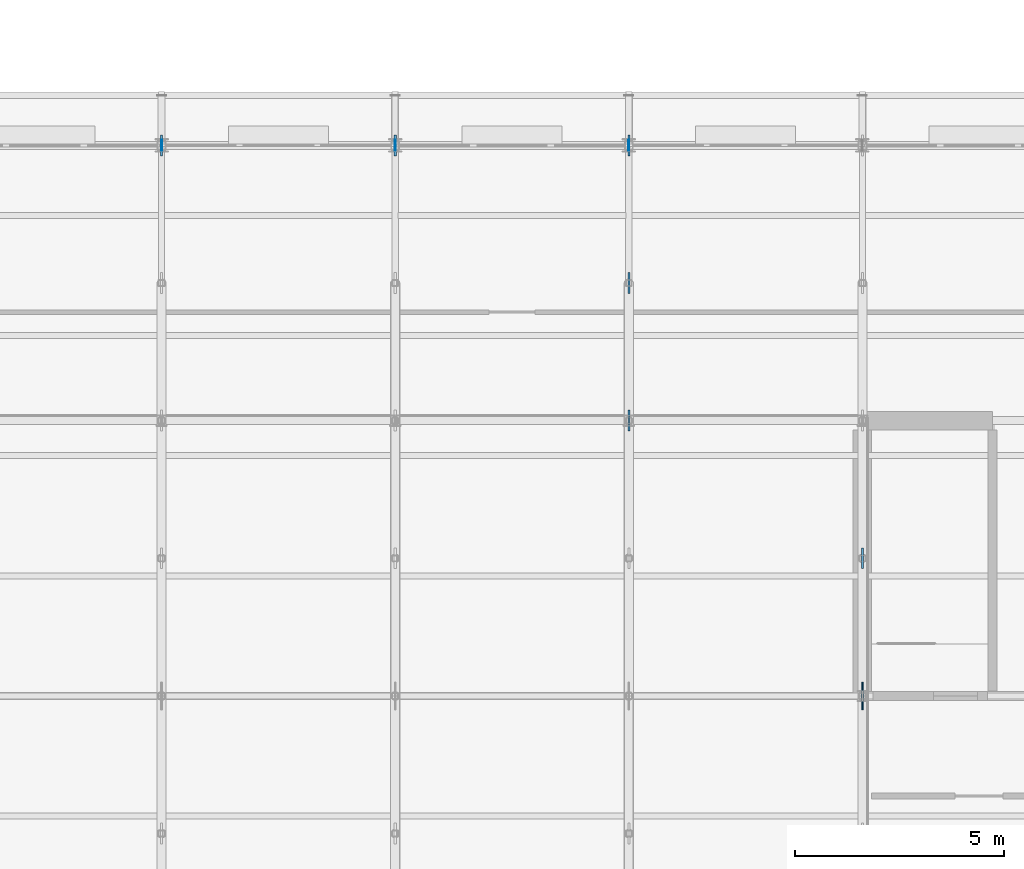
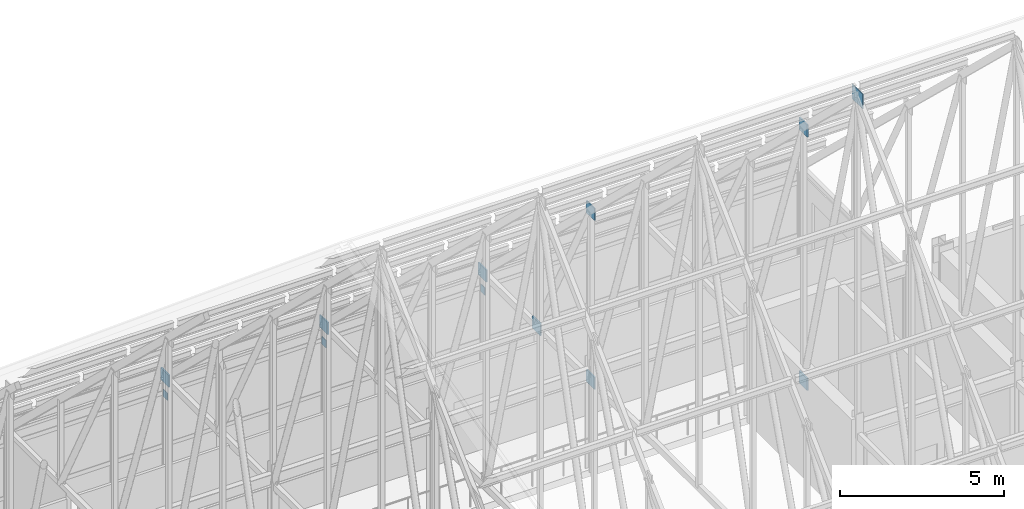
# One storey, part 111 of 144: 12 plates.
"""IFC4 building model written with IfcOpenShell, lengths in metres."""

from ifc_helpers import new_model, si_unit, direction, frame, origin, origin_2d, place, context, subcontext, project, spatial, rectangle, extrude, material, layer, layer_set, type_object, element, save


model = new_model("IFC4")

# Units and contexts
model_context = context("Model", 3, precision=1e-05, world=origin(), true_north=direction((0.0, 1.0)))
body_context = subcontext(model_context, "Body", "Model", "MODEL_VIEW")
ifc_project = project(units=[si_unit("LENGTHUNIT", "METRE"), si_unit("AREAUNIT", "SQUARE_METRE"), si_unit("VOLUMEUNIT", "CUBIC_METRE"), si_unit("PLANEANGLEUNIT", "RADIAN"), si_unit("MASSUNIT", "GRAM", prefix="KILO")], contexts=[model_context])

# Site, building, storey
site_placement = place(None, origin())
site = spatial("IfcSite", under=ifc_project, at=site_placement, CompositionType="ELEMENT")
building_placement = place(site_placement, origin())
building = spatial("IfcBuilding", under=site, at=building_placement, Name="Trelmorton Wharf Fire Station", CompositionType="ELEMENT")
storey_placement = place(building_placement, frame((0.0, 0.0, 5.39990234375)))
storey = spatial("IfcBuildingStorey", under=building, at=storey_placement, Name="L01", CompositionType="ELEMENT", Elevation=5.39990234375)

# Plates
ifc_material = material(Name="Steel Grade 350", Category="steel")
ifc_layer_1 = layer(ifc_material, 0.02001953125)
ifc_layer_set_1 = layer_set([ifc_layer_1], Name="Steel Grade 350")
plate_type_1 = type_object("IfcPlateType", Name="PL_ENDCAP_20", PredefinedType="SHEET", material=ifc_layer_set_1)
for number, where, z_axis, x_axis, name in (
    (1, (34.39990234375, 34.199951171875, 2.56005859375), (0.0, 0.0, 1.0), (1.0, 0.0, 0.0), "PL-EC-0028"),
    (2, (40.0, 34.199951171875, 2.56005859375), (0.0, 0.0, 1.0), (1.0, 0.0, 0.0), "PL-EC-0032"),
    (3, (45.60009765625, 34.199951171875, 2.56005859375), (0.0, 0.0, 1.0), (1.0, 0.0, 0.0), "PL-EC-0036"),
):
    element("IfcPlate", number, at=place(storey_placement, frame(where, z_axis=z_axis, x_axis=x_axis)), inside=storey, type_object=plate_type_1, Name=name, PredefinedType="SHEET", context=body_context, shape_type="SweptSolid", body=[
        extrude(rectangle(XDim=0.02001953125, YDim=0.260009765625, at=origin_2d()), origin(), (0.0, 0.0, 1.0), 0.280029296875),
    ])
ifc_layer_2 = layer(ifc_material, 0.030029296875)
ifc_layer_set_2 = layer_set([ifc_layer_2], Name="Steel Grade 350")
plate_type_2 = type_object("IfcPlateType", Name="PL_GUSSET_TN1", PredefinedType="USERDEFINED", material=ifc_layer_set_2)
plate_placement = place(storey_placement, frame((51.199951171875, 21.0, 15.6767578125), z_axis=(0.0, 0.0, 1.0), x_axis=(1.0, 0.0, 0.0)))
element("IfcPlate", 4, at=plate_placement, inside=storey, type_object=plate_type_2, Name="PL-TN-0224", ObjectType="GUSSET PLATE", PredefinedType="USERDEFINED", context=body_context, shape_type="SweptSolid", body=[
    extrude(rectangle(XDim=0.030029296875, YDim=0.64990234375, at=origin_2d()), origin(), (0.0, 0.0, 1.0), 0.550048828125),
])
ifc_layer_3 = layer(ifc_material, 0.050048828125)
ifc_layer_set_3 = layer_set([ifc_layer_3], Name="Steel Grade 350")
plate_type_3 = type_object("IfcPlateType", Name="PL_GUSSET_TN2", PredefinedType="USERDEFINED", material=ifc_layer_set_3)
for number, where, z_axis, x_axis, name in (
    (5, (34.39990234375, 34.199951171875, 3.126953125), (0.0, 0.0, 1.0), (1.0, 0.0, 0.0), "PL-TN-0184"),
    (6, (40.0, 34.199951171875, 3.126953125), (0.0, 0.0, 1.0), (1.0, 0.0, 0.0), "PL-TN-0197"),
    (7, (45.60009765625, 34.199951171875, 3.126953125), (0.0, 0.0, 1.0), (1.0, 0.0, 0.0), "PL-TN-0210"),
    (8, (45.60009765625, 30.89990234375, 3.126953125), (0.0, 0.0, 1.0), (1.0, 0.0, 0.0), "PL-TN-0217"),
    (9, (45.60009765625, 27.60009765625, 9.4267578125), (0.0, 0.0, 1.0), (1.0, 0.0, 0.0), "PL-TN-0218"),
    (10, (45.60009765625, 27.60009765625, 3.126953125), (0.0, 0.0, 1.0), (1.0, 0.0, 0.0), "PL-TN-0219"),
    (11, (51.199951171875, 24.300048828125, 12.5771484375), (0.0, 0.0, 1.0), (1.0, 0.0, 0.0), "PL-TN-0233"),
    (12, (51.199951171875, 24.300048828125, 3.126953125), (0.0, 0.0, 1.0), (1.0, 0.0, 0.0), "PL-TN-0234"),
):
    element("IfcPlate", number, at=place(storey_placement, frame(where, z_axis=z_axis, x_axis=x_axis)), inside=storey, type_object=plate_type_3, Name=name, ObjectType="GUSSET PLATE", PredefinedType="USERDEFINED", context=body_context, shape_type="SweptSolid", body=[
        extrude(rectangle(XDim=0.050048828125, YDim=0.5, at=origin_2d()), origin(), (0.0, 0.0, 1.0), 0.449951171875),
    ])

save(model, "model.ifc")
